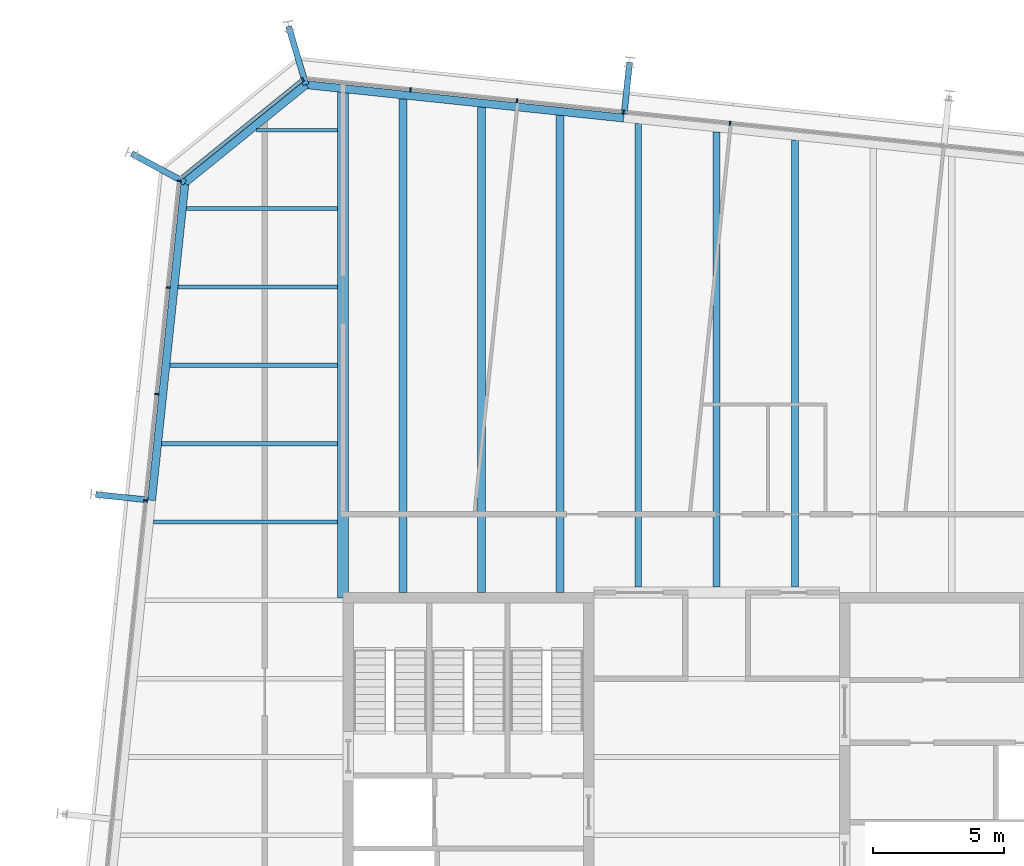
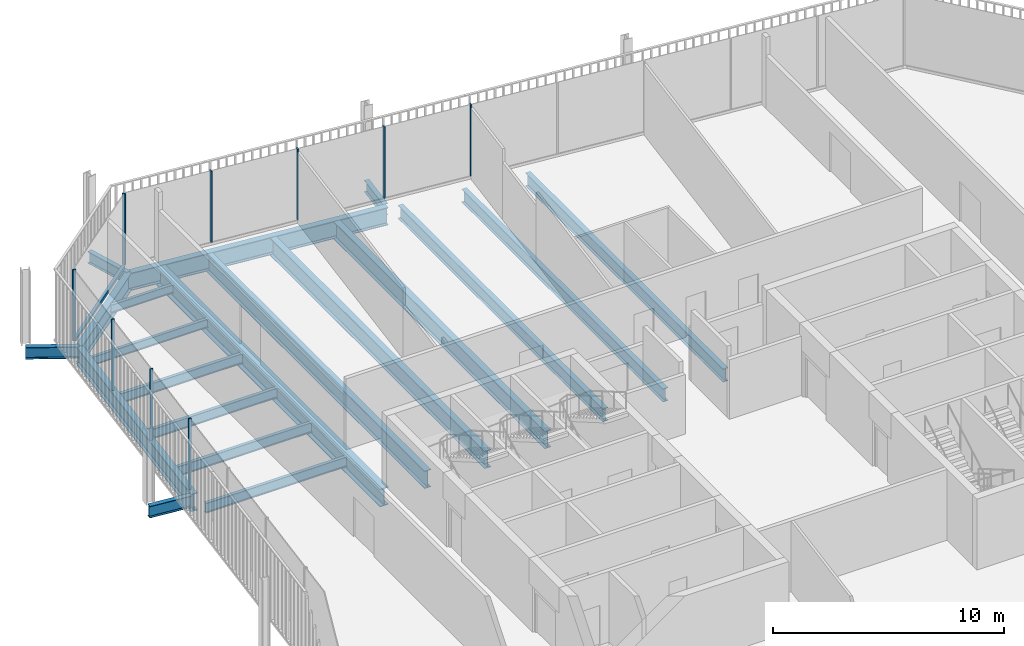
# One storey, part 12 of 20: 20 beams, 10 members, 3 elements without a shape of their own.
"""IFC4 building model written with IfcOpenShell, lengths in metres."""

from ifc_helpers import new_model, si_unit, direction, frame, origin, origin_2d, place, context, subcontext, project, spatial, rectangle, i_section, extrude, material, layer, layer_set, material_profile, profile_set, type_object, element, aggregate, save


model = new_model("IFC4")

# Units and contexts
model_context = context("Model", 3, precision=1e-05, world=origin(), true_north=direction((0.0, 1.0)))
body_context = subcontext(model_context, "Body", "Model", "MODEL_VIEW")
ifc_project = project(units=[si_unit("LENGTHUNIT", "METRE"), si_unit("AREAUNIT", "SQUARE_METRE"), si_unit("VOLUMEUNIT", "CUBIC_METRE"), si_unit("PLANEANGLEUNIT", "RADIAN"), si_unit("MASSUNIT", "GRAM", prefix="KILO")], contexts=[model_context])

# Site, building, storey
site_placement = place(None, origin())
site = spatial("IfcSite", under=ifc_project, at=site_placement, CompositionType="ELEMENT")
building_placement = place(site_placement, origin())
building = spatial("IfcBuilding", under=site, at=building_placement, Name="Millrace Tower", CompositionType="ELEMENT")
storey_placement = place(building_placement, frame((0.0, 0.0, 279.89990234375)))
storey = spatial("IfcBuildingStorey", under=building, at=storey_placement, Name="L64", CompositionType="ELEMENT", Elevation=279.89990234375)

# Curtain wall, members
ifc_material_1 = material(Name="Aluminium and glass", Category="aluminium")
ifc_layer = layer(ifc_material_1, 0.14990234375)
ifc_layer_set = layer_set([ifc_layer], Name="Aluminium and glass")
curtain_wall_type = type_object("IfcCurtainWallType", Name="CW-1 office vision curtain wall", PredefinedType="NOTDEFINED", material=ifc_layer_set)
placement = place(storey_placement, origin())
curtain_wall_1 = element("IfcCurtainWall", 1, at=placement, inside=storey, type_object=curtain_wall_type, Name="Curtain wall E-F06 L64", PredefinedType="NOTDEFINED")
ifc_material_2 = material(Name="Aluminium", Category="aluminium")
ifc_material_profile_1 = material_profile(ifc_material_2, rectangle(XDim=0.06494140625, YDim=0.14990234375, at=origin_2d()))
ifc_profile_set_1 = profile_set([ifc_material_profile_1], Name="Aluminium")
member_type_1 = type_object("IfcMemberType", Name="CW-1 office vision curtain wall mullion", PredefinedType="MULLION", material=ifc_profile_set_1)
member_1_placement = place(storey_placement, frame((0.514892578125, 27.267578125, 0.14013671875), z_axis=(0.0, 0.0, 1.0), x_axis=(-0.994521896217, 0.104528455196, 0.0)))
member_1 = element("IfcMember", 2, at=member_1_placement, type_object=member_type_1, Name="CW1 mullion E-F06.6", PredefinedType="MULLION", context=body_context, shape_type="SweptSolid", body=[
    extrude(rectangle(XDim=0.06494140625, YDim=0.14990234375, at=origin_2d()), origin(), (0.0, 0.0, 1.0), 3.760009765625),
])
member_2_placement = place(storey_placement, frame((-3.562744140625, 27.6962890625, 0.14013671875), z_axis=(0.0, 0.0, 1.0), x_axis=(-0.994521896217, 0.104528455196, 0.0)))
member_2 = element("IfcMember", 3, at=member_2_placement, type_object=member_type_1, Name="CW1 mullion E-F06.7", PredefinedType="MULLION", context=body_context, shape_type="SweptSolid", body=[
    extrude(rectangle(XDim=0.06494140625, YDim=0.14990234375, at=origin_2d()), origin(), (0.0, 0.0, 1.0), 3.760009765625),
])
member_3_placement = place(storey_placement, frame((-7.640380859375, 28.124755859375, 0.14013671875), z_axis=(0.0, 0.0, 1.0), x_axis=(-0.994521896217, 0.104528455196, 0.0)))
member_3 = element("IfcMember", 4, at=member_3_placement, type_object=member_type_1, Name="CW1 mullion E-F06.8", PredefinedType="MULLION", context=body_context, shape_type="SweptSolid", body=[
    extrude(rectangle(XDim=0.06494140625, YDim=0.14990234375, at=origin_2d()), origin(), (0.0, 0.0, 1.0), 3.760009765625),
])
member_4_placement = place(storey_placement, frame((-11.7177734375, 28.55322265625, 0.14013671875), z_axis=(0.0, 0.0, 1.0), x_axis=(-0.994521896217, 0.104528455196, 0.0)))
member_4 = element("IfcMember", 5, at=member_4_placement, type_object=member_type_1, Name="CW1 mullion E-F06.9", PredefinedType="MULLION", context=body_context, shape_type="SweptSolid", body=[
    extrude(rectangle(XDim=0.06494140625, YDim=0.14990234375, at=origin_2d()), origin(), (0.0, 0.0, 1.0), 3.760009765625),
])
aggregate(curtain_wall_1, [member_1, member_2, member_3, member_4])

# Curtain wall, member
curtain_wall_2 = element("IfcCurtainWall", 6, at=placement, inside=storey, type_object=curtain_wall_type, Name="Curtain wall E-F07 L64", PredefinedType="NOTDEFINED")
member_5_placement = place(storey_placement, frame((-15.84326171875, 28.941650390625, 0.14013671875), z_axis=(0.0, 0.0, 1.0), x_axis=(-0.777146052237, -0.629320278945, 0.0)))
member_5 = element("IfcMember", 7, at=member_5_placement, type_object=member_type_1, Name="CW1 mullion E-F07.1", PredefinedType="MULLION", context=body_context, shape_type="SweptSolid", body=[
    extrude(rectangle(XDim=0.06494140625, YDim=0.14990234375, at=origin_2d()), origin(), (0.0, 0.0, 1.0), 3.760009765625),
])

# Curtain wall, members
curtain_wall_3 = element("IfcCurtainWall", 8, at=placement, inside=storey, type_object=curtain_wall_type, Name="Curtain wall E-F08 L64", PredefinedType="NOTDEFINED")
member_6_placement = place(storey_placement, frame((-20.57470703125, 25.052490234375, 0.14013671875), z_axis=(0.0, 0.0, 1.0), x_axis=(-0.104528455196, -0.994521896217, 0.0)))
member_6 = element("IfcMember", 9, at=member_6_placement, type_object=member_type_1, Name="CW1 mullion E-F08.1", PredefinedType="MULLION", context=body_context, shape_type="SweptSolid", body=[
    extrude(rectangle(XDim=0.06494140625, YDim=0.14990234375, at=origin_2d()), origin(), (0.0, 0.0, 1.0), 3.760009765625),
])
member_7_placement = place(storey_placement, frame((-21.00341796875, 20.974853515625, 0.14013671875), z_axis=(0.0, 0.0, 1.0), x_axis=(-0.104528455196, -0.994521896217, 0.0)))
member_7 = element("IfcMember", 10, at=member_7_placement, type_object=member_type_1, Name="CW1 mullion E-F08.2", PredefinedType="MULLION", context=body_context, shape_type="SweptSolid", body=[
    extrude(rectangle(XDim=0.06494140625, YDim=0.14990234375, at=origin_2d()), origin(), (0.0, 0.0, 1.0), 3.760009765625),
])
member_8_placement = place(storey_placement, frame((-21.431884765625, 16.8974609375, 0.14013671875), z_axis=(0.0, 0.0, 1.0), x_axis=(-0.104528455196, -0.994521896217, 0.0)))
member_8 = element("IfcMember", 11, at=member_8_placement, type_object=member_type_1, Name="CW1 mullion E-F08.3", PredefinedType="MULLION", context=body_context, shape_type="SweptSolid", body=[
    extrude(rectangle(XDim=0.06494140625, YDim=0.14990234375, at=origin_2d()), origin(), (0.0, 0.0, 1.0), 3.760009765625),
])
member_9_placement = place(storey_placement, frame((-21.860595703125, 12.81982421875, 0.14013671875), z_axis=(0.0, 0.0, 1.0), x_axis=(-0.104528455196, -0.994521896217, 0.0)))
member_9 = element("IfcMember", 12, at=member_9_placement, type_object=member_type_1, Name="CW1 mullion E-F08.4", PredefinedType="MULLION", context=body_context, shape_type="SweptSolid", body=[
    extrude(rectangle(XDim=0.06494140625, YDim=0.14990234375, at=origin_2d()), origin(), (0.0, 0.0, 1.0), 3.760009765625),
])
aggregate(curtain_wall_3, [member_6, member_7, member_8, member_9])

# Member
ifc_material_3 = material(Name="Aluminium", Category="aluminium")
ifc_material_profile_2 = material_profile(ifc_material_3, rectangle(XDim=0.14990234375, YDim=0.139892578125, at=origin_2d()))
ifc_profile_set_2 = profile_set([ifc_material_profile_2], Name="Aluminium")
member_type_2 = type_object("IfcMemberType", Name="CW-1 office vision curtain wall transom", PredefinedType="USERDEFINED", material=ifc_profile_set_2)
member_10_placement = place(storey_placement, frame((-15.895751953125, 28.899169921875, 0.070068359375), z_axis=(-0.777165591695, -0.629296148951, 0.0), x_axis=(0.629296148951, -0.777165591695, 0.0)))
member_10 = element("IfcMember", 13, at=member_10_placement, type_object=member_type_2, Name="CW1 transom E-F07.1", ObjectType="TRANSOM", PredefinedType="USERDEFINED", context=body_context, shape_type="SweptSolid", body=[
    extrude(rectangle(XDim=0.14990234375, YDim=0.139892578125, at=origin_2d()), origin(), (0.0, 0.0, 1.0), 5.881103515625),
])

aggregate(curtain_wall_2, [member_5, member_10])

# Beams
ifc_material_4 = material(Name="Steel ASTM A992 Grade 50", Category="steel")
ifc_material_profile_3 = material_profile(ifc_material_4, i_section(OverallWidth=0.15234375, OverallDepth=0.449462890625, WebThickness=0.007568359375, FlangeThickness=0.0107421875, FilletRadius=0.01025390625, at=origin_2d()))
ifc_profile_set_3 = profile_set([ifc_material_profile_3], Name="Steel ASTM A992 Grade 50")
beam_type_1 = type_object("IfcBeamType", Name="Floor beam W18x35", PredefinedType="JOIST", material=ifc_profile_set_3)
beam_1_placement = place(storey_placement, frame((-20.301025390625, 24.0, -0.384765625), z_axis=(1.0, 0.0, 0.0), x_axis=(0.0, 1.0, 0.0)))
element("IfcBeam", 14, at=beam_1_placement, inside=storey, type_object=beam_type_1, Name="BM-E-L64-S1-S033", PredefinedType="JOIST", context=body_context, shape_type="SweptSolid", body=[
    extrude(i_section(OverallWidth=0.15234375, OverallDepth=0.449462890625, WebThickness=0.007568359375, FlangeThickness=0.0107421875, FilletRadius=0.01025390625, at=origin_2d()), origin(), (0.0, 0.0, 1.0), 5.79150390625),
])
beam_2_placement = place(storey_placement, frame((-17.609619140625, 27.0, -0.384765625), z_axis=(1.0, 0.0, 0.0), x_axis=(0.0, 1.0, 0.0)))
element("IfcBeam", 15, at=beam_2_placement, inside=storey, type_object=beam_type_1, Name="BM-E-L64-S1-S035", PredefinedType="JOIST", context=body_context, shape_type="SweptSolid", body=[
    extrude(i_section(OverallWidth=0.15234375, OverallDepth=0.449462890625, WebThickness=0.007568359375, FlangeThickness=0.0107421875, FilletRadius=0.01025390625, at=origin_2d()), origin(), (0.0, 0.0, 1.0), 3.10009765625),
])
ifc_material_5 = material(Name="Steel ASTM A992 Grade 50", Category="steel")
ifc_material_profile_4 = material_profile(ifc_material_5, i_section(OverallWidth=0.1650390625, OverallDepth=0.52587890625, WebThickness=0.0087890625, FlangeThickness=0.011474609375, FilletRadius=0.0126953125, at=origin_2d()))
ifc_profile_set_4 = profile_set([ifc_material_profile_4], Name="Steel ASTM A992 Grade 50")
beam_type_2 = type_object("IfcBeamType", Name="Floor beam W21x44", PredefinedType="JOIST", material=ifc_profile_set_4)
beam_3_placement = place(storey_placement, frame((-21.562255859375, 12.0, -0.4228515625), z_axis=(1.0, 0.0, 0.0), x_axis=(0.0, 1.0, 0.0)))
element("IfcBeam", 16, at=beam_3_placement, inside=storey, type_object=beam_type_2, Name="BM-E-L64-S1-S025", PredefinedType="JOIST", context=body_context, shape_type="SweptSolid", body=[
    extrude(i_section(OverallWidth=0.1650390625, OverallDepth=0.52587890625, WebThickness=0.0087890625, FlangeThickness=0.011474609375, FilletRadius=0.0126953125, at=origin_2d()), origin(), (0.0, 0.0, 1.0), 7.052734375),
])
beam_4_placement = place(storey_placement, frame((-21.246826171875, 15.0, -0.4228515625), z_axis=(1.0, 0.0, 0.0), x_axis=(0.0, 1.0, 0.0)))
element("IfcBeam", 17, at=beam_4_placement, inside=storey, type_object=beam_type_2, Name="BM-E-L64-S1-S027", PredefinedType="JOIST", context=body_context, shape_type="SweptSolid", body=[
    extrude(i_section(OverallWidth=0.1650390625, OverallDepth=0.52587890625, WebThickness=0.0087890625, FlangeThickness=0.011474609375, FilletRadius=0.0126953125, at=origin_2d()), origin(), (0.0, 0.0, 1.0), 6.7373046875),
])
beam_5_placement = place(storey_placement, frame((-20.931640625, 18.0, -0.4228515625), z_axis=(1.0, 0.0, 0.0), x_axis=(0.0, 1.0, 0.0)))
element("IfcBeam", 18, at=beam_5_placement, inside=storey, type_object=beam_type_2, Name="BM-E-L64-S1-S029", PredefinedType="JOIST", context=body_context, shape_type="SweptSolid", body=[
    extrude(i_section(OverallWidth=0.1650390625, OverallDepth=0.52587890625, WebThickness=0.0087890625, FlangeThickness=0.011474609375, FilletRadius=0.0126953125, at=origin_2d()), origin(), (0.0, 0.0, 1.0), 6.422119140625),
])
beam_6_placement = place(storey_placement, frame((-20.6162109375, 21.0, -0.4228515625), z_axis=(1.0, 0.0, 0.0), x_axis=(0.0, 1.0, 0.0)))
element("IfcBeam", 19, at=beam_6_placement, inside=storey, type_object=beam_type_2, Name="BM-E-L64-S1-S031", PredefinedType="JOIST", context=body_context, shape_type="SweptSolid", body=[
    extrude(i_section(OverallWidth=0.1650390625, OverallDepth=0.52587890625, WebThickness=0.0087890625, FlangeThickness=0.011474609375, FilletRadius=0.0126953125, at=origin_2d()), origin(), (0.0, 0.0, 1.0), 6.106689453125),
])
ifc_material_6 = material(Name="Steel ASTM A992 Grade 50", Category="steel")
ifc_material_profile_5 = material_profile(ifc_material_6, i_section(OverallWidth=0.256591796875, OverallDepth=0.693359375, WebThickness=0.014404296875, FlangeThickness=0.023681640625, FilletRadius=0.01513671875, at=origin_2d()))
ifc_profile_set_5 = profile_set([ifc_material_profile_5], Name="Steel ASTM A992 Grade 50")
beam_type_3 = type_object("IfcBeamType", Name="Floor beam W27x114", PredefinedType="JOIST", material=ifc_profile_set_5)
beam_7_placement = place(storey_placement, frame((-3.0, 9.509521484375, -0.506591796875), z_axis=(0.0, 1.0, 0.0), x_axis=(-1.0, 0.0, 0.0)))
element("IfcBeam", 20, at=beam_7_placement, inside=storey, type_object=beam_type_3, Name="BM-E-L64-S1-S042", PredefinedType="JOIST", context=body_context, shape_type="SweptSolid", body=[
    extrude(i_section(OverallWidth=0.256591796875, OverallDepth=0.693359375, WebThickness=0.014404296875, FlangeThickness=0.023681640625, FilletRadius=0.01513671875, at=origin_2d()), origin(), (0.0, 0.0, 1.0), 17.7431640625),
])
beam_8_placement = place(storey_placement, frame((0.0, 9.509521484375, -0.506591796875), z_axis=(0.0, 1.0, 0.0), x_axis=(-1.0, 0.0, 0.0)))
element("IfcBeam", 21, at=beam_8_placement, inside=storey, type_object=beam_type_3, Name="BM-E-L64-S1-S044", PredefinedType="JOIST", context=body_context, shape_type="SweptSolid", body=[
    extrude(i_section(OverallWidth=0.256591796875, OverallDepth=0.693359375, WebThickness=0.014404296875, FlangeThickness=0.023681640625, FilletRadius=0.01513671875, at=origin_2d()), origin(), (0.0, 0.0, 1.0), 17.427734375),
])
beam_9_placement = place(storey_placement, frame((3.0, 9.509521484375, -0.506591796875), z_axis=(0.0, 1.0, 0.0), x_axis=(-1.0, 0.0, 0.0)))
element("IfcBeam", 22, at=beam_9_placement, inside=storey, type_object=beam_type_3, Name="BM-E-L64-S1-S046", PredefinedType="JOIST", context=body_context, shape_type="SweptSolid", body=[
    extrude(i_section(OverallWidth=0.256591796875, OverallDepth=0.693359375, WebThickness=0.014404296875, FlangeThickness=0.023681640625, FilletRadius=0.01513671875, at=origin_2d()), origin(), (0.0, 0.0, 1.0), 17.112548828125),
])
ifc_material_7 = material(Name="Steel ASTM A992 Grade 50", Category="steel")
ifc_material_profile_6 = material_profile(ifc_material_7, i_section(OverallWidth=0.307373046875, OverallDepth=0.927001953125, WebThickness=0.01953125, FlangeThickness=0.031982421875, FilletRadius=0.01904296875, at=origin_2d()))
ifc_profile_set_6 = profile_set([ifc_material_profile_6], Name="Steel ASTM A992 Grade 50")
beam_type_4 = type_object("IfcBeamType", Name="Floor beam W36x194", PredefinedType="JOIST", material=ifc_profile_set_6)
beam_10_placement = place(storey_placement, frame((-12.0, 9.300048828125, -0.62353515625), z_axis=(0.0, 1.0, 0.0), x_axis=(-1.0, 0.0, 0.0)))
element("IfcBeam", 23, at=beam_10_placement, inside=storey, type_object=beam_type_4, Name="BM-E-L64-S1-S036", PredefinedType="JOIST", context=body_context, shape_type="SweptSolid", body=[
    extrude(i_section(OverallWidth=0.307373046875, OverallDepth=0.927001953125, WebThickness=0.01953125, FlangeThickness=0.031982421875, FilletRadius=0.01904296875, at=origin_2d()), origin(), (0.0, 0.0, 1.0), 18.8984375),
])
beam_11_placement = place(storey_placement, frame((-9.0, 9.300048828125, -0.62353515625), z_axis=(0.0, 1.0, 0.0), x_axis=(-1.0, 0.0, 0.0)))
element("IfcBeam", 24, at=beam_11_placement, inside=storey, type_object=beam_type_4, Name="BM-E-L64-S1-S038", PredefinedType="JOIST", context=body_context, shape_type="SweptSolid", body=[
    extrude(i_section(OverallWidth=0.307373046875, OverallDepth=0.927001953125, WebThickness=0.01953125, FlangeThickness=0.031982421875, FilletRadius=0.01904296875, at=origin_2d()), origin(), (0.0, 0.0, 1.0), 18.583251953125),
])
beam_12_placement = place(storey_placement, frame((-6.0, 9.300048828125, -0.62353515625), z_axis=(0.0, 1.0, 0.0), x_axis=(-1.0, 0.0, 0.0)))
element("IfcBeam", 25, at=beam_12_placement, inside=storey, type_object=beam_type_4, Name="BM-E-L64-S1-S040", PredefinedType="JOIST", context=body_context, shape_type="SweptSolid", body=[
    extrude(i_section(OverallWidth=0.307373046875, OverallDepth=0.927001953125, WebThickness=0.01953125, FlangeThickness=0.031982421875, FilletRadius=0.01904296875, at=origin_2d()), origin(), (0.0, 0.0, 1.0), 18.267822265625),
])
ifc_material_8 = material(Name="Steel ASTM A992 Grade 50", Category="steel")
ifc_material_profile_7 = material_profile(ifc_material_8, i_section(OverallWidth=0.424072265625, OverallDepth=0.947509765625, WebThickness=0.02392578125, FlangeThickness=0.042724609375, FilletRadius=0.024169921875, at=origin_2d()))
ifc_profile_set_7 = profile_set([ifc_material_profile_7], Name="Steel ASTM A992 Grade 50")
beam_type_5 = type_object("IfcBeamType", Name="Girder medium span W36x302", PredefinedType="BEAM", material=ifc_profile_set_7)
beam_13_placement = place(storey_placement, frame((-14.300048828125, 9.083984375, -0.633544921875), z_axis=(0.0, 1.0, 0.0), x_axis=(-1.0, 0.0, 0.0)))
element("IfcBeam", 26, at=beam_13_placement, inside=storey, type_object=beam_type_5, Name="BM-E-L64-S1-G054", PredefinedType="BEAM", context=body_context, shape_type="SweptSolid", body=[
    extrude(i_section(OverallWidth=0.424072265625, OverallDepth=0.947509765625, WebThickness=0.02392578125, FlangeThickness=0.042724609375, FilletRadius=0.024169921875, at=origin_2d()), origin(), (0.0, 0.0, 1.0), 19.356201171875),
])
ifc_material_9 = material(Name="Steel ASTM A992 Grade 50", Category="steel")
ifc_material_profile_8 = material_profile(ifc_material_9, i_section(OverallWidth=0.23046875, OverallDepth=0.6171875, WebThickness=0.01318359375, FlangeThickness=0.022216796875, FilletRadius=0.012939453125, at=origin_2d()))
ifc_profile_set_8 = profile_set([ifc_material_profile_8], Name="Steel ASTM A992 Grade 50")
beam_type_6 = type_object("IfcBeamType", Name="Link beam W24x94", PredefinedType="BEAM", material=ifc_profile_set_8)
beam_14_placement = place(storey_placement, frame((-21.782470703125, 12.84423828125, -0.468505859375), z_axis=(-0.994512808172, 0.104614886044, 0.0), x_axis=(-0.104614886044, -0.994512808172, 0.0)))
element("IfcBeam", 27, at=beam_14_placement, inside=storey, type_object=beam_type_6, Name="LNK-E-L64-S1-03", PredefinedType="BEAM", context=body_context, shape_type="SweptSolid", body=[
    extrude(i_section(OverallWidth=0.23046875, OverallDepth=0.6171875, WebThickness=0.01318359375, FlangeThickness=0.022216796875, FilletRadius=0.012939453125, at=origin_2d()), origin(), (0.0, 0.0, 1.0), 2.0),
])
for number, where, z_axis, x_axis, name in (
    (28, (-20.3505859375, 24.99755859375, -0.468505859375), (-0.87881453358, 0.477163510307, 0.0), (-0.477163510307, -0.87881453358, 0.0), "LNK-E-L64-S1-04"),
    (29, (-15.7236328125, 28.744384765625, -0.468505859375), (-0.284031275065, 0.958815015936, 0.0), (-0.958815015936, -0.284031275065, 0.0), "LNK-E-L64-S1-05"),
):
    element("IfcBeam", number, at=place(storey_placement, frame(where, z_axis=z_axis, x_axis=x_axis)), inside=storey, type_object=beam_type_6, Name=name, PredefinedType="BEAM", context=body_context, shape_type="SweptSolid", body=[
        extrude(i_section(OverallWidth=0.23046875, OverallDepth=0.6171875, WebThickness=0.01318359375, FlangeThickness=0.022216796875, FilletRadius=0.012939453125, at=origin_2d()), origin(), (0.0, 0.0, 1.0), 2.3310546875),
    ])
beam_15_placement = place(storey_placement, frame((-3.538330078125, 27.6181640625, -0.468505859375), z_axis=(0.104494148666, 0.99452550138, 0.0), x_axis=(-0.99452550138, 0.104494148666, 0.0)))
element("IfcBeam", 30, at=beam_15_placement, inside=storey, type_object=beam_type_6, Name="LNK-E-L64-S1-06", PredefinedType="BEAM", context=body_context, shape_type="SweptSolid", body=[
    extrude(i_section(OverallWidth=0.23046875, OverallDepth=0.6171875, WebThickness=0.01318359375, FlangeThickness=0.022216796875, FilletRadius=0.012939453125, at=origin_2d()), origin(), (0.0, 0.0, 1.0), 2.0),
])
ifc_material_10 = material(Name="Steel ASTM A992 Grade 50", Category="steel")
ifc_material_profile_9 = material_profile(ifc_material_10, i_section(OverallWidth=0.307373046875, OverallDepth=0.927001953125, WebThickness=0.01953125, FlangeThickness=0.031982421875, FilletRadius=0.01904296875, at=origin_2d()))
ifc_profile_set_9 = profile_set([ifc_material_profile_9], Name="Steel ASTM A992 Grade 50")
beam_type_7 = type_object("IfcBeamType", Name="Ring beam medium span W36x194", PredefinedType="SPANDREL", material=ifc_profile_set_9)
for number, where, z_axis, x_axis, name in (
    (31, (-21.629638671875, 12.828369140625, -0.62353515625), (0.104530030035, 0.994521730693, 0.0), (-0.994521730693, 0.104530030035, 0.0), "RNG-E-L64-S1-03"),
    (32, (-15.7236328125, 28.744384765625, -0.62353515625), (0.994521730693, -0.104530030035, 0.0), (0.104530030035, 0.994521730693, 0.0), "RNG-E-L64-S1-05"),
):
    element("IfcBeam", number, at=place(storey_placement, frame(where, z_axis=z_axis, x_axis=x_axis)), inside=storey, type_object=beam_type_7, Name=name, PredefinedType="SPANDREL", context=body_context, shape_type="SweptSolid", body=[
        extrude(i_section(OverallWidth=0.307373046875, OverallDepth=0.927001953125, WebThickness=0.01953125, FlangeThickness=0.031982421875, FilletRadius=0.01904296875, at=origin_2d()), origin(), (0.0, 0.0, 1.0), 12.236328125),
    ])
ifc_material_11 = material(Name="Steel ASTM A992 Grade 50", Category="steel")
ifc_material_profile_10 = material_profile(ifc_material_11, i_section(OverallWidth=0.307373046875, OverallDepth=0.927001953125, WebThickness=0.01953125, FlangeThickness=0.031982421875, FilletRadius=0.01904296875, at=origin_2d()))
ifc_profile_set_10 = profile_set([ifc_material_profile_10], Name="Steel ASTM A992 Grade 50")
beam_type_8 = type_object("IfcBeamType", Name="Ring beam short span W36x194", PredefinedType="SPANDREL", material=ifc_profile_set_10)
beam_16_placement = place(storey_placement, frame((-20.3505859375, 24.99755859375, -0.62353515625), z_axis=(0.777146502883, 0.629319722443, 0.0), x_axis=(-0.629319722443, 0.777146502883, 0.0)))
element("IfcBeam", 33, at=beam_16_placement, inside=storey, type_object=beam_type_8, Name="RNG-E-L64-S1-04", PredefinedType="SPANDREL", context=body_context, shape_type="SweptSolid", body=[
    extrude(i_section(OverallWidth=0.307373046875, OverallDepth=0.927001953125, WebThickness=0.01953125, FlangeThickness=0.031982421875, FilletRadius=0.01904296875, at=origin_2d()), origin(), (0.0, 0.0, 1.0), 5.953857421875),
])

save(model, "model.ifc")
